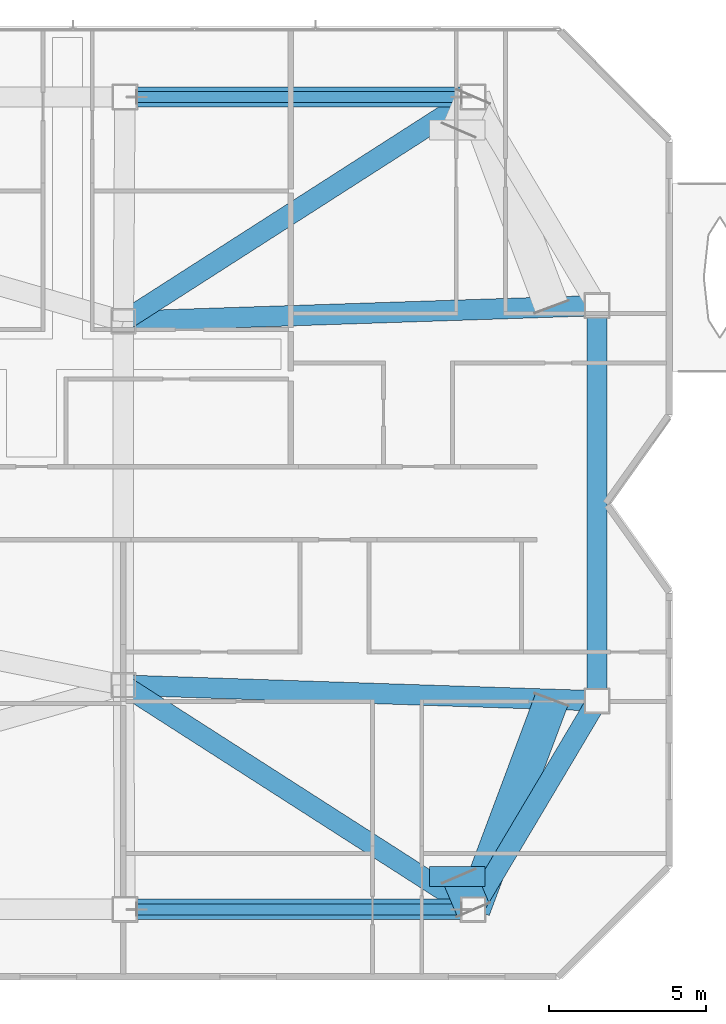
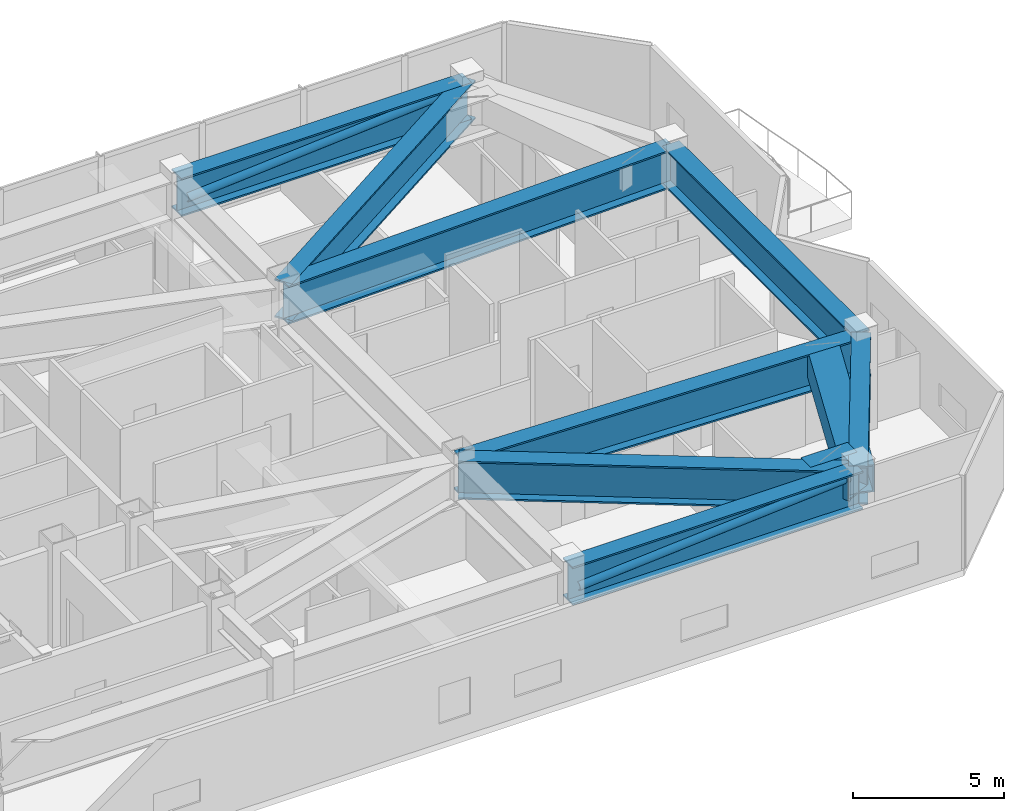
# One storey, part 5 of 16: 11 beams, 2 members.
"""IFC4 building model written with IfcOpenShell, lengths in metres."""

from ifc_helpers import new_model, si_unit, direction, frame, origin, origin_2d, place, context, subcontext, project, spatial, hollow_rectangle, hollow_circle, i_section, extrude, material, material_profile, profile_set, type_object, element, save


model = new_model("IFC4")

# Units and contexts
model_context = context("Model", 3, precision=1e-05, world=origin(), true_north=direction((0.0, 1.0)))
body_context = subcontext(model_context, "Body", "Model", "MODEL_VIEW")
ifc_project = project(units=[si_unit("LENGTHUNIT", "METRE"), si_unit("AREAUNIT", "SQUARE_METRE"), si_unit("VOLUMEUNIT", "CUBIC_METRE"), si_unit("PLANEANGLEUNIT", "RADIAN"), si_unit("MASSUNIT", "GRAM", prefix="KILO")], contexts=[model_context])

# Site, building, storey
site_placement = place(None, origin())
site = spatial("IfcSite", under=ifc_project, at=site_placement, CompositionType="ELEMENT")
building_placement = place(site_placement, origin())
building = spatial("IfcBuilding", under=site, at=building_placement, Name="Khamvora Tower", CompositionType="ELEMENT")
storey_placement = place(building_placement, frame((0.0, 0.0, 273.64990234375)))
storey = spatial("IfcBuildingStorey", under=building, at=storey_placement, Name="L70", CompositionType="ELEMENT", Elevation=273.64990234375)

# Beams
ifc_material_1 = material(Name="Steel S460", Category="steel")
ifc_material_profile_1 = material_profile(ifc_material_1, hollow_rectangle(XDim=1.10009765625, YDim=1.10009765625, WallThickness=0.054931640625, at=origin_2d()), Name="BOX1100x1100x55")
ifc_profile_set_1 = profile_set([ifc_material_profile_1], Name="Steel S460")
beam_type_1 = type_object("IfcBeamType", Name="BM-TG-BOX1100", PredefinedType="BEAM", material=ifc_profile_set_1)
beam_1_placement = place(storey_placement, frame((61.64990234375, 15.050048828125, 3.22998046875), z_axis=(-0.393867712762, 0.919167136512, 0.0), x_axis=(-0.919167136512, -0.393867712762, 0.0)))
element("IfcBeam", 1, at=beam_1_placement, inside=storey, type_object=beam_type_1, Name="L70 setback frame transfer frame transfer link S4.1", PredefinedType="BEAM", context=body_context, shape_type="SweptSolid", body=[
    extrude(hollow_rectangle(XDim=1.10009765625, YDim=1.10009765625, WallThickness=0.054931640625, at=origin_2d()), origin(), (0.0, 0.0, 1.0), 1.142333984375),
])
beam_2_placement = place(storey_placement, frame((61.64990234375, 15.050048828125, 3.22998046875), z_axis=(0.350736790408, 0.936474080717, 0.0), x_axis=(-0.936474080717, 0.350736790408, 0.0)))
element("IfcBeam", 2, at=beam_2_placement, inside=storey, type_object=beam_type_1, Name="L70 setback frame transfer frame transfer link E1.2", PredefinedType="BEAM", context=body_context, shape_type="SweptSolid", body=[
    extrude(hollow_rectangle(XDim=1.10009765625, YDim=1.10009765625, WallThickness=0.054931640625, at=origin_2d()), origin(), (0.0, 0.0, 1.0), 7.1279296875),
])
ifc_material_profile_2 = material_profile(ifc_material_1, i_section(OverallWidth=0.64990234375, OverallDepth=1.550048828125, WebThickness=0.0400390625, FlangeThickness=0.06494140625, at=origin_2d()), Name="PG1550x650x40x65")
ifc_profile_set_2 = profile_set([ifc_material_profile_2], Name="Steel S460")
beam_type_2 = type_object("IfcBeamType", Name="BM-TG-PG1800", PredefinedType="BEAM", material=ifc_profile_set_2)
beam_3_placement = place(storey_placement, frame((50.550048828125, 15.050048828125, 3.005126953125), z_axis=(1.0, 0.0, 0.0), x_axis=(0.0, 1.0, 0.0)))
element("IfcBeam", 3, at=beam_3_placement, inside=storey, type_object=beam_type_2, Name="L70 perimeter spandrel beam S3-S4", PredefinedType="BEAM", context=body_context, shape_type="SweptSolid", body=[
    extrude(i_section(OverallWidth=0.64990234375, OverallDepth=1.550048828125, WebThickness=0.0400390625, FlangeThickness=0.06494140625, at=origin_2d()), origin(), (0.0, 0.0, 1.0), 11.099853515625),
])
beam_4_placement = place(storey_placement, frame((61.64990234375, 15.050048828125, 3.005126953125), z_axis=(0.510712313878, 0.859751669061, 0.0), x_axis=(-0.859751669061, 0.510712313878, 0.0)))
element("IfcBeam", 4, at=beam_4_placement, inside=storey, type_object=beam_type_2, Name="L70 perimeter spandrel beam S4-E1", PredefinedType="BEAM", context=body_context, shape_type="SweptSolid", body=[
    extrude(i_section(OverallWidth=0.64990234375, OverallDepth=1.550048828125, WebThickness=0.0400390625, FlangeThickness=0.06494140625, at=origin_2d()), origin(), (0.0, 0.0, 1.0), 7.734619140625),
])
beam_5_placement = place(storey_placement, frame((65.60009765625, 21.699951171875, 3.005126953125), z_axis=(0.0, 1.0, 0.0), x_axis=(-1.0, 0.0, 0.0)))
element("IfcBeam", 5, at=beam_5_placement, inside=storey, type_object=beam_type_2, Name="L70 perimeter spandrel beam E1-E2", PredefinedType="BEAM", context=body_context, shape_type="SweptSolid", body=[
    extrude(i_section(OverallWidth=0.64990234375, OverallDepth=1.550048828125, WebThickness=0.0400390625, FlangeThickness=0.06494140625, at=origin_2d()), origin(), (0.0, 0.0, 1.0), 12.60009765625),
])
beam_6_placement = place(storey_placement, frame((61.64990234375, 40.949951171875, 3.005126953125), z_axis=(-1.0, 0.0, 0.0), x_axis=(0.0, -1.0, 0.0)))
element("IfcBeam", 6, at=beam_6_placement, inside=storey, type_object=beam_type_2, Name="L70 perimeter spandrel beam N4-N3", PredefinedType="BEAM", context=body_context, shape_type="SweptSolid", body=[
    extrude(i_section(OverallWidth=0.64990234375, OverallDepth=1.550048828125, WebThickness=0.0400390625, FlangeThickness=0.06494140625, at=origin_2d()), origin(), (0.0, 0.0, 1.0), 11.099853515625),
])
for number, where, z_axis, x_axis, name in (
    (7, (50.5, 22.199951171875, 3.005126953125), (0.841792378856, -0.539801436549, 0.0), (0.539801436549, 0.841792378856, 0.0), "L70 primary floor girder S4"),
    (8, (50.5, 33.800048828125, 3.005126953125), (0.841792378856, 0.539801436549, 0.0), (-0.539801436549, 0.841792378856, 0.0), "L70 primary floor girder N4"),
):
    element("IfcBeam", number, at=place(storey_placement, frame(where, z_axis=z_axis, x_axis=x_axis)), inside=storey, type_object=beam_type_2, Name=name, PredefinedType="BEAM", context=body_context, shape_type="SweptSolid", body=[
        extrude(i_section(OverallWidth=0.64990234375, OverallDepth=1.550048828125, WebThickness=0.0400390625, FlangeThickness=0.06494140625, at=origin_2d()), origin(), (0.0, 0.0, 1.0), 13.245361328125),
    ])
for number, where, z_axis, x_axis, name in (
    (9, (50.5, 22.199951171875, 3.005126953125), (0.999452235919, -0.033094230868, 0.0), (0.033094230868, 0.999452235919, 0.0), "L70 primary floor girder E1"),
    (10, (50.5, 33.800048828125, 3.005126953125), (0.999452235919, 0.033094230868, 0.0), (-0.033094230868, 0.999452235919, 0.0), "L70 primary floor girder E2"),
):
    element("IfcBeam", number, at=place(storey_placement, frame(where, z_axis=z_axis, x_axis=x_axis)), inside=storey, type_object=beam_type_2, Name=name, PredefinedType="BEAM", context=body_context, shape_type="SweptSolid", body=[
        extrude(i_section(OverallWidth=0.64990234375, OverallDepth=1.550048828125, WebThickness=0.0400390625, FlangeThickness=0.06494140625, at=origin_2d()), origin(), (0.0, 0.0, 1.0), 15.1083984375),
    ])
beam_7_placement = place(storey_placement, frame((60.2529296875, 16.10009765625, 3.005126953125), z_axis=(1.0, 0.0, 0.0), x_axis=(0.0, 1.0, 0.0)))
element("IfcBeam", 11, at=beam_7_placement, inside=storey, type_object=beam_type_2, Name="L70 setback frame transfer Box Girder S4", PredefinedType="BEAM", context=body_context, shape_type="SweptSolid", body=[
    extrude(i_section(OverallWidth=0.64990234375, OverallDepth=1.550048828125, WebThickness=0.0400390625, FlangeThickness=0.06494140625, at=origin_2d()), origin(), (0.0, 0.0, 1.0), 1.781005859375),
])

# Members
ifc_material_2 = material(Name="Steel S355", Category="steel")
ifc_material_profile_3 = material_profile(ifc_material_2, hollow_circle(Radius=0.177978515625, WallThickness=0.013916015625, at=origin_2d()), Name="CHS356x14")
ifc_profile_set_3 = profile_set([ifc_material_profile_3], Name="Steel S355")
member_type = type_object("IfcMemberType", Name="MEM-BR-CHS356", PredefinedType="BRACE", material=ifc_profile_set_3)
for number, where, z_axis, x_axis, name in (
    (12, (50.928955078125, 15.050048828125, 2.7080078125), (0.997188898053, 0.0, 0.074928643387), (0.0, 1.0, 0.0), "L70 perimeter wind brace 1"),
    (13, (50.928955078125, 40.949951171875, 2.7080078125), (0.997188898053, 0.0, 0.074928643387), (0.0, 1.0, 0.0), "L70 perimeter wind brace 2"),
):
    element("IfcMember", number, at=place(storey_placement, frame(where, z_axis=z_axis, x_axis=x_axis)), inside=storey, type_object=member_type, Name=name, PredefinedType="BRACE", context=body_context, shape_type="SweptSolid", body=[
        extrude(hollow_circle(Radius=0.177978515625, WallThickness=0.013916015625, at=origin_2d()), origin(), (0.0, 0.0, 1.0), 10.37109375),
    ])

save(model, "model.ifc")
